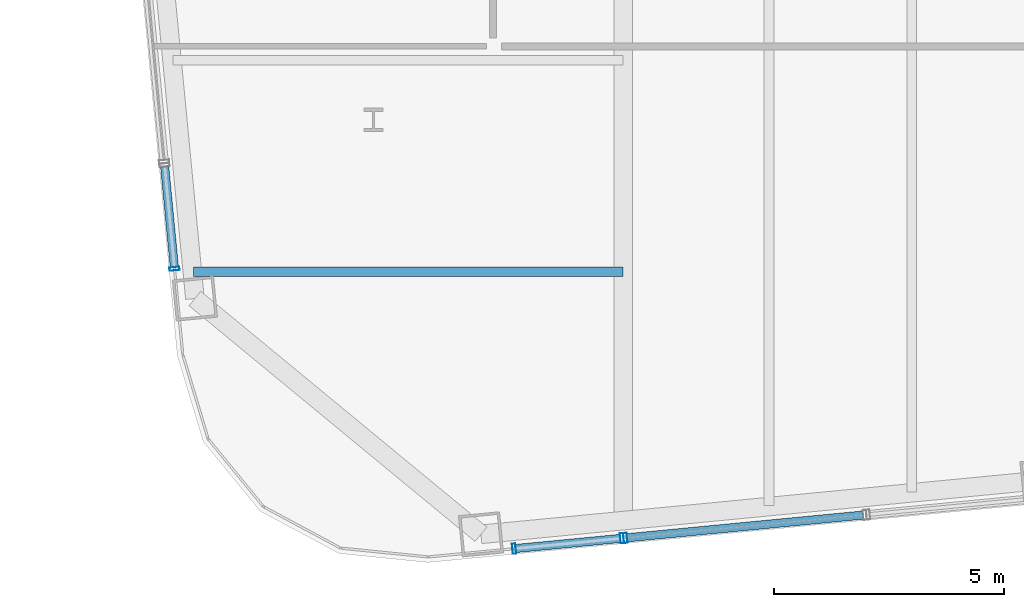
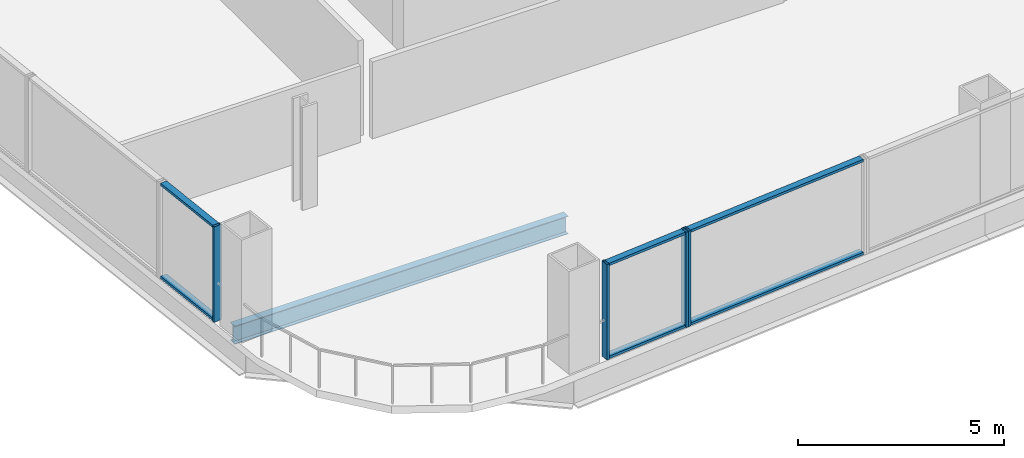
# One storey, part 2 of 26: 10 members, 1 beam, 3 elements without a shape of their own.
"""IFC4 building model written with IfcOpenShell, lengths in metres."""

import ifcopenshell
import ifcopenshell.guid

model = None  # the IFC model being written
_history = None  # IfcOwnerHistory: only IFC2X3 demands one
_inside = {}  # id of a spatial element -> (the spatial element, [elements in it])
_under = {}  # id of a project, library or spatial element -> (it, [spatial elements below it])
_declared = {}  # id of a project -> (the project, [libraries it declares])
_typed = {}  # id of a type object -> (the type object, [elements of that type])
_made_of = {}  # id of a material, layer set ... -> (it, [elements and type objects made of it])


def new_model(schema):
    """Start an empty IFC model of exactly this schema.

    Asked for "IFC4X3", IfcOpenShell would pick the latest addendum, in which some entities
    have other attributes; the version numbers below select the first issue.
    IFC2X3 requires an IfcOwnerHistory on every rooted entity: one is made here for all.
    """
    global model, _history
    if schema == "IFC4X3":
        model = ifcopenshell.file(schema_version=(4, 3, 0, 0))
    else:
        model = ifcopenshell.file(schema=schema)
    _inside.clear()
    _under.clear()
    _declared.clear()
    _typed.clear()
    _made_of.clear()
    _history = None
    if model.schema == "IFC2X3":
        org = make("IfcOrganization", Name="unknown")
        user = make(
            "IfcPersonAndOrganization",
            ThePerson=make("IfcPerson", FamilyName="unknown"),
            TheOrganization=org,
        )
        app = make(
            "IfcApplication",
            ApplicationDeveloper=org,
            Version="unknown",
            ApplicationFullName="unknown",
            ApplicationIdentifier="unknown",
        )
        _history = make(
            "IfcOwnerHistory",
            OwningUser=user,
            OwningApplication=app,
            ChangeAction="ADDED",
            CreationDate=0,
        )
    return model


def make(cls, **values):
    """One entity of the class cls with the attributes given. An attribute that is None is left unset."""
    return model.create_entity(
        cls, **{name: value for name, value in values.items() if value is not None}
    )


def rooted(cls, **values):
    """An entity with a GlobalId (a new one), such as an element, a storey or a relation."""
    return make(cls, GlobalId=ifcopenshell.guid.new(), OwnerHistory=_history, **values)


def si_unit(unit_type, name, prefix=None):
    """IfcSIUnit, for example si_unit("LENGTHUNIT", "METRE", prefix="MILLI")."""
    return make("IfcSIUnit", UnitType=unit_type, Prefix=prefix, Name=name)


def assignment(units):
    """IfcUnitAssignment: the units of a project."""
    return None if units is None else make("IfcUnitAssignment", Units=units)


def point(xyz):
    """IfcCartesianPoint."""
    return None if xyz is None else make("IfcCartesianPoint", Coordinates=xyz)


def direction(xyz):
    """IfcDirection."""
    return None if xyz is None else make("IfcDirection", DirectionRatios=xyz)


def frame(location, z_axis=None, x_axis=None):
    """IfcAxis2Placement3D, a coordinate frame: its origin and axes. An axis left out is left unset."""
    return make(
        "IfcAxis2Placement3D",
        Location=point(location),
        Axis=direction(z_axis),
        RefDirection=direction(x_axis),
    )


def frame_2d(location, x_axis=None):
    """IfcAxis2Placement2D, a coordinate frame in the plane: its origin and x axis."""
    return make(
        "IfcAxis2Placement2D", Location=point(location), RefDirection=direction(x_axis)
    )


def origin():
    """The frame at (0, 0, 0) with its axes left unset."""
    return frame((0.0, 0.0, 0.0))


def origin_2d():
    """The frame at (0, 0) in the plane with its x axis left unset."""
    return frame_2d((0.0, 0.0))


def place(relative_to, where):
    """IfcLocalPlacement: puts the frame where relative to a parent placement (None: the world)."""
    return make(
        "IfcLocalPlacement", PlacementRelTo=relative_to, RelativePlacement=where
    )


def context(
    kind, dimensions, precision=None, world=None, true_north=None, identifier=None
):
    """IfcGeometricRepresentationContext, for example the 3D "Model" context."""
    return make(
        "IfcGeometricRepresentationContext",
        ContextIdentifier=identifier,
        ContextType=kind,
        CoordinateSpaceDimension=dimensions,
        Precision=precision,
        WorldCoordinateSystem=world,
        TrueNorth=true_north,
    )


def subcontext(parent, identifier, kind, view, scale=None):
    """IfcGeometricRepresentationSubContext, for example "Body" below "Model"."""
    return make(
        "IfcGeometricRepresentationSubContext",
        ContextIdentifier=identifier,
        ContextType=kind,
        ParentContext=parent,
        TargetScale=scale,
        TargetView=view,
    )


def project(units=None, contexts=None):
    """IfcProject with its units and contexts."""
    return rooted(
        "IfcProject",
        Name="project",
        RepresentationContexts=contexts,
        UnitsInContext=assignment(units),
    )


def spatial(cls, under=None, at=None, **own):
    """A site, building, storey or space (cls), placed at a placement, below another one or the project."""
    s = rooted(cls, ObjectPlacement=at, **own)
    if under is not None:
        _under.setdefault(under.id(), (under, []))[1].append(s)
    return s


def profile(cls, at=None, kind="AREA", **sizes):
    """A parametric profile (cls). Its sizes go by their IFC names, for example OverallWidth=200.0."""
    return make(cls, ProfileType=kind, Position=at, **sizes)


def hollow_rectangle(**sizes):
    """IfcRectangleHollowProfileDef."""
    return profile("IfcRectangleHollowProfileDef", **sizes)


def i_section(**sizes):
    """IfcIShapeProfileDef."""
    return profile("IfcIShapeProfileDef", **sizes)


def extrude(swept, where, along, depth):
    """IfcExtrudedAreaSolid: the profile swept, set in the frame where, extruded along a direction by depth."""
    return make(
        "IfcExtrudedAreaSolid",
        SweptArea=swept,
        Position=where,
        ExtrudedDirection=direction(along),
        Depth=depth,
    )


def shape(context_of_items, identifier, shape_type, items):
    """IfcShapeRepresentation: the items that make up one representation, for example the "Body"."""
    return make(
        "IfcShapeRepresentation",
        ContextOfItems=context_of_items,
        RepresentationIdentifier=identifier,
        RepresentationType=shape_type,
        Items=items,
    )


def material(Name=None, Category=None):
    """IfcMaterial."""
    return make("IfcMaterial", Name=Name, Category=Category)


def layer(
    of_material, thickness, ventilated=None, Name=None, Category=None, Priority=None
):
    """IfcMaterialLayer: one layer of a wall or slab, of a material (None: an air gap)."""
    return make(
        "IfcMaterialLayer",
        Material=of_material,
        LayerThickness=thickness,
        IsVentilated=ventilated,
        Name=Name,
        Category=Category,
        Priority=Priority,
    )


def layer_set(layers, Name=None):
    """IfcMaterialLayerSet."""
    return make("IfcMaterialLayerSet", MaterialLayers=layers, LayerSetName=Name)


def material_profile(
    of_material, cross_section, Name=None, Category=None, Priority=None
):
    """IfcMaterialProfile: a cross section and its material."""
    return make(
        "IfcMaterialProfile",
        Name=Name,
        Material=of_material,
        Profile=cross_section,
        Priority=Priority,
        Category=Category,
    )


def profile_set(profiles, Name=None, composite=None):
    """IfcMaterialProfileSet."""
    return make(
        "IfcMaterialProfileSet",
        Name=Name,
        MaterialProfiles=profiles,
        CompositeProfile=composite,
    )


def made_of(thing, what):
    """Note that an element or type object is made of a material, layer set ...; save() writes the relation."""
    if what is not None:
        _made_of.setdefault(what.id(), (what, []))[1].append(thing)
    return thing


def type_object(cls, material=None, **own):
    """A type object (cls), such as IfcWallType, which elements share."""
    return made_of(rooted(cls, **own), material)


def element(
    cls,
    number,
    at=None,
    inside=None,
    cuts=None,
    type_object=None,
    material=None,
    context=None,
    identifier="Body",
    shape_type=None,
    held_by="IfcProductDefinitionShape",
    body=None,
    shapes=None,
    **own,
):
    """One element of the class cls, such as IfcWall. Its Tag is "e" and its number.

    at: its placement. inside: the storey or other place that contains it. cuts: it is an
    opening in that element (IfcRelVoidsElement). A single representation is given by context,
    identifier, shape_type and body (its items); several are given by shapes. held_by: the class
    of the entity that holds the representations. save() writes the other relations.
    """
    e = rooted(cls, Tag="e%d" % number, ObjectPlacement=at, **own)
    if body is not None:
        shapes = [shape(context, identifier, shape_type, body)]
    if shapes is not None:
        e.Representation = make(held_by, Representations=shapes)
    if inside is not None:
        _inside.setdefault(inside.id(), (inside, []))[1].append(e)
    if cuts is not None:
        rooted(
            "IfcRelVoidsElement", RelatingBuildingElement=cuts, RelatedOpeningElement=e
        )
    if type_object is not None:
        _typed.setdefault(type_object.id(), (type_object, []))[1].append(e)
    return made_of(e, material)


def aggregate(whole, parts):
    """IfcRelAggregates: a whole, such as a stair, and the parts it consists of."""
    return rooted("IfcRelAggregates", RelatingObject=whole, RelatedObjects=parts)


def save(model, path):
    """Write the relations noted so far, then the file.

    IfcRelAggregates (storeys below a building ...), IfcRelContainedInSpatialStructure (elements
    in a storey), IfcRelDefinesByType, IfcRelAssociatesMaterial and IfcRelDeclares: one each for
    every whole, place, type object, material and project.
    """
    for whole, parts in _under.values():
        aggregate(whole, parts)
    for where, things in _inside.values():
        rooted(
            "IfcRelContainedInSpatialStructure",
            RelatedElements=things,
            RelatingStructure=where,
        )
    for kind, things in _typed.values():
        rooted("IfcRelDefinesByType", RelatedObjects=things, RelatingType=kind)
    for what, things in _made_of.values():
        rooted("IfcRelAssociatesMaterial", RelatedObjects=things, RelatingMaterial=what)
    for by, libraries in _declared.values():
        rooted("IfcRelDeclares", RelatingContext=by, RelatedDefinitions=libraries)
    model.write(path)


model = new_model("IFC4")

# Units and contexts
model_context = context("Model", 3, precision=1e-05, world=origin(), true_north=direction((0.0, 1.0)))
body_context = subcontext(model_context, "Body", "Model", "MODEL_VIEW")
ifc_project = project(units=[si_unit("LENGTHUNIT", "METRE"), si_unit("AREAUNIT", "SQUARE_METRE"), si_unit("VOLUMEUNIT", "CUBIC_METRE"), si_unit("PLANEANGLEUNIT", "RADIAN"), si_unit("MASSUNIT", "GRAM", prefix="KILO")], contexts=[model_context])

# Site, building, storey
site_placement = place(None, origin())
site = spatial("IfcSite", under=ifc_project, at=site_placement, CompositionType="ELEMENT")
building_placement = place(site_placement, origin())
building = spatial("IfcBuilding", under=site, at=building_placement, Name="Qhalaya Broadcast Tower", CompositionType="ELEMENT")
storey_placement = place(building_placement, frame((0.0, 0.0, 72.5)))
storey = spatial("IfcBuildingStorey", under=building, at=storey_placement, Name="L20", CompositionType="ELEMENT", Elevation=72.5)

# Beam
ifc_material_1 = material(Name="Structural Steel ASTM A992 Grade 50", Category="steel")
ifc_material_profile_1 = material_profile(ifc_material_1, i_section(OverallWidth=0.2099609375, OverallDepth=0.535888671875, WebThickness=0.010986328125, FlangeThickness=0.017333984375, at=origin_2d()), Name="W21X68")
ifc_profile_set_1 = profile_set([ifc_material_profile_1], Name="Structural Steel ASTM A992 Grade 50")
beam_type = type_object("IfcBeamType", Name="Composite Floor Joist J02", PredefinedType="JOIST", material=ifc_profile_set_1)
beam_placement = place(storey_placement, frame((-18.7216796875, -16.5, -0.488037109375), z_axis=(1.0, 0.0, 0.0), x_axis=(0.0, 1.0, 0.0)))
element("IfcBeam", 1, at=beam_placement, inside=storey, type_object=beam_type, Name="L20 J02 L20-JWE1W-1", PredefinedType="JOIST", context=body_context, shape_type="SweptSolid", body=[
    extrude(i_section(OverallWidth=0.2099609375, OverallDepth=0.535888671875, WebThickness=0.010986328125, FlangeThickness=0.017333984375, at=origin_2d()), origin(), (0.0, 0.0, 1.0), 9.3466796875),
])

# Curtain wall, members
ifc_material_2 = material(Name="Fired Architectural Terracotta", Category="masonry")
ifc_layer_1 = layer(ifc_material_2, 0.219970703125, Name="Fired Architectural Terracotta")
ifc_layer_set_1 = layer_set([ifc_layer_1], Name="Fired Architectural Terracotta")
curtain_wall_type_1 = type_object("IfcCurtainWallType", Name="Block-Cap Unitised Terracotta Spandrel Wall CW-07", PredefinedType="NOTDEFINED", material=ifc_layer_set_1)
curtain_wall_1_placement = place(storey_placement, origin())
curtain_wall_1 = element("IfcCurtainWall", 2, at=curtain_wall_1_placement, inside=storey, type_object=curtain_wall_type_1, Name="L20 Unitised Curtain Wall L20-CW-S1", PredefinedType="NOTDEFINED")
ifc_material_3 = material(Name="Anodised Aluminium 6063-T6", Category="aluminium")
ifc_material_profile_2 = material_profile(ifc_material_3, hollow_rectangle(XDim=0.074951171875, YDim=0.219970703125, WallThickness=0.00390625, at=origin_2d()), Name="ALU-MUL 75x220x4")
ifc_profile_set_2 = profile_set([ifc_material_profile_2], Name="Anodised Aluminium 6063-T6")
member_type_1 = type_object("IfcMemberType", Name="Unitised Curtain-Wall Mullion M01", PredefinedType="MULLION", material=ifc_profile_set_2)
member_1_placement = place(storey_placement, frame((-11.74462890625, -22.52490234375, 0.0), z_axis=(0.0, 0.0, 1.0), x_axis=(0.99539620774, 0.09584565518, 0.0)))
member_1 = element("IfcMember", 3, at=member_1_placement, type_object=member_type_1, Name="CW-07 mullion 1", PredefinedType="MULLION", context=body_context, shape_type="SweptSolid", body=[
    extrude(hollow_rectangle(XDim=0.074951171875, YDim=0.219970703125, WallThickness=0.00390625, at=origin_2d()), origin(), (0.0, 0.0, 1.0), 2.830078125),
])
member_2_placement = place(storey_placement, frame((-9.3994140625, -22.299072265625, 0.0), z_axis=(0.0, 0.0, 1.0), x_axis=(0.99539620774, 0.09584565518, 0.0)))
member_2 = element("IfcMember", 4, at=member_2_placement, type_object=member_type_1, Name="CW-07 mullion 2", PredefinedType="MULLION", context=body_context, shape_type="SweptSolid", body=[
    extrude(hollow_rectangle(XDim=0.074951171875, YDim=0.219970703125, WallThickness=0.00390625, at=origin_2d()), origin(), (0.0, 0.0, 1.0), 2.830078125),
])

# Curtain wall, member
ifc_material_4 = material(Name="Solar-Control Low-E Triple Glazing", Category="glass")
ifc_layer_2 = layer(ifc_material_4, 0.219970703125, Name="Solar-Control Low-E Triple Glazing")
ifc_layer_set_2 = layer_set([ifc_layer_2], Name="Solar-Control Low-E Triple Glazing")
curtain_wall_type_2 = type_object("IfcCurtainWallType", Name="Even-Block 4-Storey Double-Module Curtain Wall CW-03", PredefinedType="NOTDEFINED", material=ifc_layer_set_2)
curtain_wall_2_placement = place(storey_placement, origin())
curtain_wall_2 = element("IfcCurtainWall", 5, at=curtain_wall_2_placement, inside=storey, type_object=curtain_wall_type_2, Name="L20 Unitised Curtain Wall L20-CW-S2", PredefinedType="NOTDEFINED")
member_3_placement = place(storey_placement, frame((-9.324951171875, -22.2919921875, 0.0), z_axis=(0.0, 0.0, 1.0), x_axis=(0.995395549991, 0.095852485923, 0.0)))
member_3 = element("IfcMember", 6, at=member_3_placement, type_object=member_type_1, Name="CW-03 mullion 1", PredefinedType="MULLION", context=body_context, shape_type="SweptSolid", body=[
    extrude(hollow_rectangle(XDim=0.074951171875, YDim=0.219970703125, WallThickness=0.00390625, at=origin_2d()), origin(), (0.0, 0.0, 1.0), 2.830078125),
])

curtain_wall_3_placement = place(storey_placement, origin())
curtain_wall_3 = element("IfcCurtainWall", 7, at=curtain_wall_3_placement, inside=storey, type_object=curtain_wall_type_1, Name="L20 Unitised Curtain Wall L20-CW-W7", PredefinedType="NOTDEFINED")
member_4_placement = place(storey_placement, frame((-19.129638671875, -16.437255859375, 0.0), z_axis=(0.0, 0.0, 1.0), x_axis=(0.09585164641, -0.995395630832, 0.0)))
member_4 = element("IfcMember", 8, at=member_4_placement, type_object=member_type_1, Name="CW-07 mullion 2", PredefinedType="MULLION", context=body_context, shape_type="SweptSolid", body=[
    extrude(hollow_rectangle(XDim=0.074951171875, YDim=0.219970703125, WallThickness=0.00390625, at=origin_2d()), origin(), (0.0, 0.0, 1.0), 2.830078125),
])

# Member
ifc_material_profile_3 = material_profile(ifc_material_3, hollow_rectangle(XDim=0.074951171875, YDim=0.179931640625, WallThickness=0.00390625, at=origin_2d()), Name="ALU-TRN 75x180x4")
ifc_profile_set_3 = profile_set([ifc_material_profile_3], Name="Anodised Aluminium 6063-T6")
member_type_2 = type_object("IfcMemberType", Name="Unitised Curtain-Wall Transom T01", PredefinedType="USERDEFINED", material=ifc_profile_set_3)
member_5_placement = place(storey_placement, frame((-11.707275390625, -22.521484375, 0.03759765625), z_axis=(0.995390970233, 0.095900033261, 0.0), x_axis=(0.0, 0.0, 1.0)))
member_5 = element("IfcMember", 9, at=member_5_placement, type_object=member_type_2, Name="CW-07 transom 1.1", ObjectType="TRANSOM", PredefinedType="USERDEFINED", context=body_context, shape_type="SweptSolid", body=[
    extrude(hollow_rectangle(XDim=0.074951171875, YDim=0.179931640625, WallThickness=0.00390625, at=origin_2d()), origin(), (0.0, 0.0, 1.0), 2.281005859375),
])

member_6_placement = place(storey_placement, frame((-11.707275390625, -22.521484375, 2.79248046875), z_axis=(0.995390970233, 0.095900033261, 0.0), x_axis=(0.0, 0.0, 1.0)))
member_6 = element("IfcMember", 10, at=member_6_placement, type_object=member_type_2, Name="CW-07 transom 1.2", ObjectType="TRANSOM", PredefinedType="USERDEFINED", context=body_context, shape_type="SweptSolid", body=[
    extrude(hollow_rectangle(XDim=0.074951171875, YDim=0.179931640625, WallThickness=0.00390625, at=origin_2d()), origin(), (0.0, 0.0, 1.0), 2.281005859375),
])

aggregate(curtain_wall_1, [member_1, member_2, member_5, member_6])

member_7_placement = place(storey_placement, frame((-9.28759765625, -22.288330078125, 0.03759765625), z_axis=(0.995395309195, 0.095854986479, 0.0), x_axis=(0.0, 0.0, 1.0)))
member_7 = element("IfcMember", 11, at=member_7_placement, type_object=member_type_2, Name="CW-03 transom 1.1", ObjectType="TRANSOM", PredefinedType="USERDEFINED", context=body_context, shape_type="SweptSolid", body=[
    extrude(hollow_rectangle(XDim=0.074951171875, YDim=0.179931640625, WallThickness=0.00390625, at=origin_2d()), origin(), (0.0, 0.0, 1.0), 5.155029296875),
])

member_8_placement = place(storey_placement, frame((-9.28759765625, -22.288330078125, 2.79248046875), z_axis=(0.995395309195, 0.095854986479, 0.0), x_axis=(0.0, 0.0, 1.0)))
member_8 = element("IfcMember", 12, at=member_8_placement, type_object=member_type_2, Name="CW-03 transom 1.2", ObjectType="TRANSOM", PredefinedType="USERDEFINED", context=body_context, shape_type="SweptSolid", body=[
    extrude(hollow_rectangle(XDim=0.074951171875, YDim=0.179931640625, WallThickness=0.00390625, at=origin_2d()), origin(), (0.0, 0.0, 1.0), 5.155029296875),
])

aggregate(curtain_wall_2, [member_3, member_7, member_8])

member_9_placement = place(storey_placement, frame((-19.343017578125, -14.219970703125, 0.03759765625), z_axis=(0.095761263253, -0.995404330139, 0.0), x_axis=(0.0, 0.0, 1.0)))
member_9 = element("IfcMember", 13, at=member_9_placement, type_object=member_type_2, Name="CW-07 transom 1.1", ObjectType="TRANSOM", PredefinedType="USERDEFINED", context=body_context, shape_type="SweptSolid", body=[
    extrude(hollow_rectangle(XDim=0.074951171875, YDim=0.179931640625, WallThickness=0.00390625, at=origin_2d()), origin(), (0.0, 0.0, 1.0), 2.18994140625),
])

member_10_placement = place(storey_placement, frame((-19.343017578125, -14.219970703125, 2.79248046875), z_axis=(0.095761263253, -0.995404330139, 0.0), x_axis=(0.0, 0.0, 1.0)))
member_10 = element("IfcMember", 14, at=member_10_placement, type_object=member_type_2, Name="CW-07 transom 1.2", ObjectType="TRANSOM", PredefinedType="USERDEFINED", context=body_context, shape_type="SweptSolid", body=[
    extrude(hollow_rectangle(XDim=0.074951171875, YDim=0.179931640625, WallThickness=0.00390625, at=origin_2d()), origin(), (0.0, 0.0, 1.0), 2.18994140625),
])

aggregate(curtain_wall_3, [member_4, member_9, member_10])

save(model, "model.ifc")
